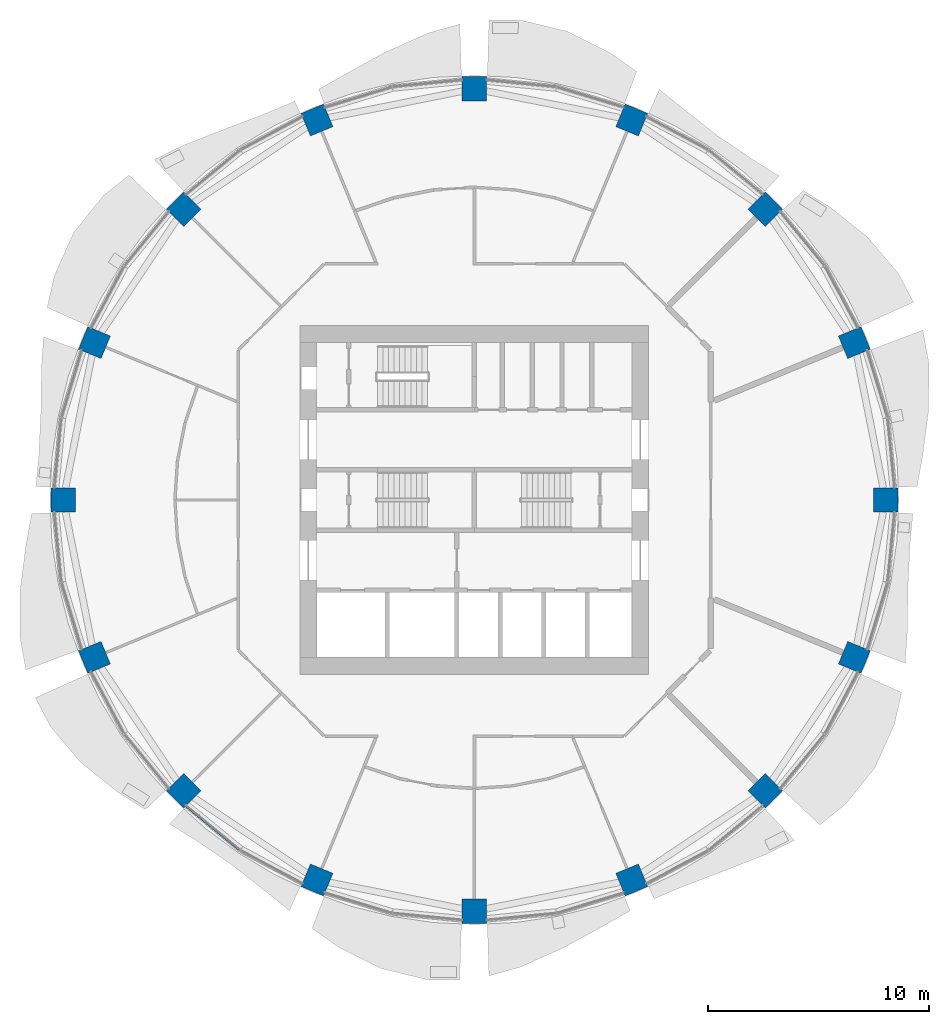
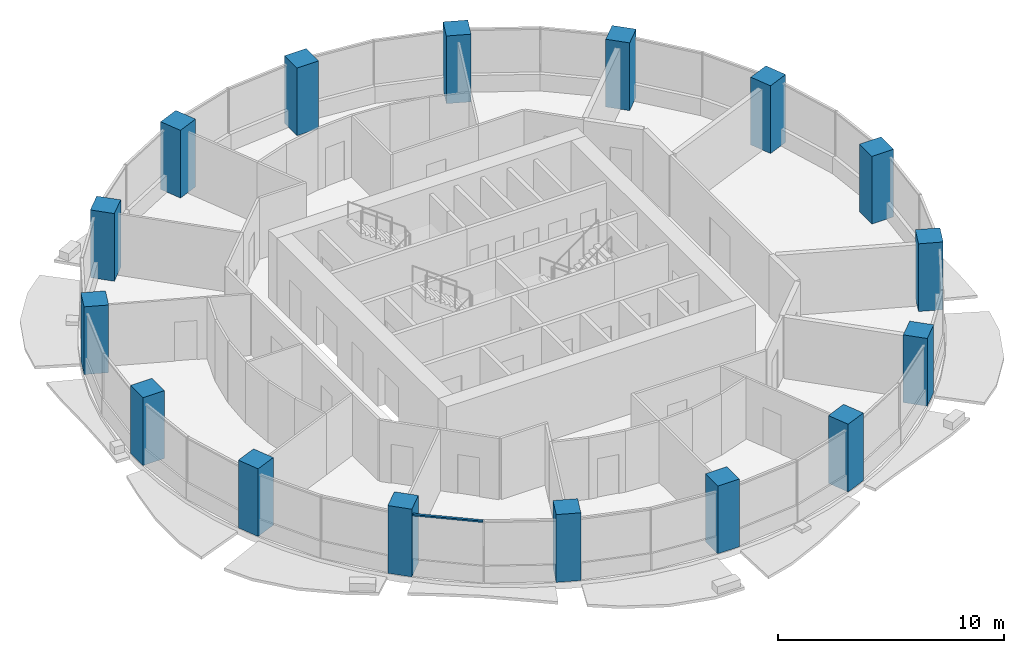
# One storey, part 1 of 14: 16 columns, 1 member, 1 element without a shape of its own.
"""IFC4 building model written with IfcOpenShell, lengths in metres."""

import ifcopenshell
import ifcopenshell.guid

model = None  # the IFC model being written
_history = None  # IfcOwnerHistory: only IFC2X3 demands one
_inside = {}  # id of a spatial element -> (the spatial element, [elements in it])
_under = {}  # id of a project, library or spatial element -> (it, [spatial elements below it])
_declared = {}  # id of a project -> (the project, [libraries it declares])
_typed = {}  # id of a type object -> (the type object, [elements of that type])
_made_of = {}  # id of a material, layer set ... -> (it, [elements and type objects made of it])


def new_model(schema):
    """Start an empty IFC model of exactly this schema.

    Asked for "IFC4X3", IfcOpenShell would pick the latest addendum, in which some entities
    have other attributes; the version numbers below select the first issue.
    IFC2X3 requires an IfcOwnerHistory on every rooted entity: one is made here for all.
    """
    global model, _history
    if schema == "IFC4X3":
        model = ifcopenshell.file(schema_version=(4, 3, 0, 0))
    else:
        model = ifcopenshell.file(schema=schema)
    _inside.clear()
    _under.clear()
    _declared.clear()
    _typed.clear()
    _made_of.clear()
    _history = None
    if model.schema == "IFC2X3":
        org = make("IfcOrganization", Name="unknown")
        user = make(
            "IfcPersonAndOrganization",
            ThePerson=make("IfcPerson", FamilyName="unknown"),
            TheOrganization=org,
        )
        app = make(
            "IfcApplication",
            ApplicationDeveloper=org,
            Version="unknown",
            ApplicationFullName="unknown",
            ApplicationIdentifier="unknown",
        )
        _history = make(
            "IfcOwnerHistory",
            OwningUser=user,
            OwningApplication=app,
            ChangeAction="ADDED",
            CreationDate=0,
        )
    return model


def make(cls, **values):
    """One entity of the class cls with the attributes given. An attribute that is None is left unset."""
    return model.create_entity(
        cls, **{name: value for name, value in values.items() if value is not None}
    )


def rooted(cls, **values):
    """An entity with a GlobalId (a new one), such as an element, a storey or a relation."""
    return make(cls, GlobalId=ifcopenshell.guid.new(), OwnerHistory=_history, **values)


def si_unit(unit_type, name, prefix=None):
    """IfcSIUnit, for example si_unit("LENGTHUNIT", "METRE", prefix="MILLI")."""
    return make("IfcSIUnit", UnitType=unit_type, Prefix=prefix, Name=name)


def assignment(units):
    """IfcUnitAssignment: the units of a project."""
    return None if units is None else make("IfcUnitAssignment", Units=units)


def point(xyz):
    """IfcCartesianPoint."""
    return None if xyz is None else make("IfcCartesianPoint", Coordinates=xyz)


def direction(xyz):
    """IfcDirection."""
    return None if xyz is None else make("IfcDirection", DirectionRatios=xyz)


def frame(location, z_axis=None, x_axis=None):
    """IfcAxis2Placement3D, a coordinate frame: its origin and axes. An axis left out is left unset."""
    return make(
        "IfcAxis2Placement3D",
        Location=point(location),
        Axis=direction(z_axis),
        RefDirection=direction(x_axis),
    )


def frame_2d(location, x_axis=None):
    """IfcAxis2Placement2D, a coordinate frame in the plane: its origin and x axis."""
    return make(
        "IfcAxis2Placement2D", Location=point(location), RefDirection=direction(x_axis)
    )


def origin():
    """The frame at (0, 0, 0) with its axes left unset."""
    return frame((0.0, 0.0, 0.0))


def origin_2d():
    """The frame at (0, 0) in the plane with its x axis left unset."""
    return frame_2d((0.0, 0.0))


def place(relative_to, where):
    """IfcLocalPlacement: puts the frame where relative to a parent placement (None: the world)."""
    return make(
        "IfcLocalPlacement", PlacementRelTo=relative_to, RelativePlacement=where
    )


def context(
    kind, dimensions, precision=None, world=None, true_north=None, identifier=None
):
    """IfcGeometricRepresentationContext, for example the 3D "Model" context."""
    return make(
        "IfcGeometricRepresentationContext",
        ContextIdentifier=identifier,
        ContextType=kind,
        CoordinateSpaceDimension=dimensions,
        Precision=precision,
        WorldCoordinateSystem=world,
        TrueNorth=true_north,
    )


def subcontext(parent, identifier, kind, view, scale=None):
    """IfcGeometricRepresentationSubContext, for example "Body" below "Model"."""
    return make(
        "IfcGeometricRepresentationSubContext",
        ContextIdentifier=identifier,
        ContextType=kind,
        ParentContext=parent,
        TargetScale=scale,
        TargetView=view,
    )


def project(units=None, contexts=None):
    """IfcProject with its units and contexts."""
    return rooted(
        "IfcProject",
        Name="project",
        RepresentationContexts=contexts,
        UnitsInContext=assignment(units),
    )


def spatial(cls, under=None, at=None, **own):
    """A site, building, storey or space (cls), placed at a placement, below another one or the project."""
    s = rooted(cls, ObjectPlacement=at, **own)
    if under is not None:
        _under.setdefault(under.id(), (under, []))[1].append(s)
    return s


def profile(cls, at=None, kind="AREA", **sizes):
    """A parametric profile (cls). Its sizes go by their IFC names, for example OverallWidth=200.0."""
    return make(cls, ProfileType=kind, Position=at, **sizes)


def rectangle(**sizes):
    """IfcRectangleProfileDef."""
    return profile("IfcRectangleProfileDef", **sizes)


def extrude(swept, where, along, depth):
    """IfcExtrudedAreaSolid: the profile swept, set in the frame where, extruded along a direction by depth."""
    return make(
        "IfcExtrudedAreaSolid",
        SweptArea=swept,
        Position=where,
        ExtrudedDirection=direction(along),
        Depth=depth,
    )


def shape(context_of_items, identifier, shape_type, items):
    """IfcShapeRepresentation: the items that make up one representation, for example the "Body"."""
    return make(
        "IfcShapeRepresentation",
        ContextOfItems=context_of_items,
        RepresentationIdentifier=identifier,
        RepresentationType=shape_type,
        Items=items,
    )


def material(Name=None, Category=None):
    """IfcMaterial."""
    return make("IfcMaterial", Name=Name, Category=Category)


def material_profile(
    of_material, cross_section, Name=None, Category=None, Priority=None
):
    """IfcMaterialProfile: a cross section and its material."""
    return make(
        "IfcMaterialProfile",
        Name=Name,
        Material=of_material,
        Profile=cross_section,
        Priority=Priority,
        Category=Category,
    )


def profile_set(profiles, Name=None, composite=None):
    """IfcMaterialProfileSet."""
    return make(
        "IfcMaterialProfileSet",
        Name=Name,
        MaterialProfiles=profiles,
        CompositeProfile=composite,
    )


def made_of(thing, what):
    """Note that an element or type object is made of a material, layer set ...; save() writes the relation."""
    if what is not None:
        _made_of.setdefault(what.id(), (what, []))[1].append(thing)
    return thing


def type_object(cls, material=None, **own):
    """A type object (cls), such as IfcWallType, which elements share."""
    return made_of(rooted(cls, **own), material)


def element(
    cls,
    number,
    at=None,
    inside=None,
    cuts=None,
    type_object=None,
    material=None,
    context=None,
    identifier="Body",
    shape_type=None,
    held_by="IfcProductDefinitionShape",
    body=None,
    shapes=None,
    **own,
):
    """One element of the class cls, such as IfcWall. Its Tag is "e" and its number.

    at: its placement. inside: the storey or other place that contains it. cuts: it is an
    opening in that element (IfcRelVoidsElement). A single representation is given by context,
    identifier, shape_type and body (its items); several are given by shapes. held_by: the class
    of the entity that holds the representations. save() writes the other relations.
    """
    e = rooted(cls, Tag="e%d" % number, ObjectPlacement=at, **own)
    if body is not None:
        shapes = [shape(context, identifier, shape_type, body)]
    if shapes is not None:
        e.Representation = make(held_by, Representations=shapes)
    if inside is not None:
        _inside.setdefault(inside.id(), (inside, []))[1].append(e)
    if cuts is not None:
        rooted(
            "IfcRelVoidsElement", RelatingBuildingElement=cuts, RelatedOpeningElement=e
        )
    if type_object is not None:
        _typed.setdefault(type_object.id(), (type_object, []))[1].append(e)
    return made_of(e, material)


def aggregate(whole, parts):
    """IfcRelAggregates: a whole, such as a stair, and the parts it consists of."""
    return rooted("IfcRelAggregates", RelatingObject=whole, RelatedObjects=parts)


def save(model, path):
    """Write the relations noted so far, then the file.

    IfcRelAggregates (storeys below a building ...), IfcRelContainedInSpatialStructure (elements
    in a storey), IfcRelDefinesByType, IfcRelAssociatesMaterial and IfcRelDeclares: one each for
    every whole, place, type object, material and project.
    """
    for whole, parts in _under.values():
        aggregate(whole, parts)
    for where, things in _inside.values():
        rooted(
            "IfcRelContainedInSpatialStructure",
            RelatedElements=things,
            RelatingStructure=where,
        )
    for kind, things in _typed.values():
        rooted("IfcRelDefinesByType", RelatedObjects=things, RelatingType=kind)
    for what, things in _made_of.values():
        rooted("IfcRelAssociatesMaterial", RelatedObjects=things, RelatingMaterial=what)
    for by, libraries in _declared.values():
        rooted("IfcRelDeclares", RelatingContext=by, RelatedDefinitions=libraries)
    model.write(path)


model = new_model("IFC4")

# Units and contexts
model_context = context("Model", 3, precision=1e-05, world=origin(), true_north=direction((0.0, 1.0)))
body_context = subcontext(model_context, "Body", "Model", "MODEL_VIEW")
ifc_project = project(units=[si_unit("LENGTHUNIT", "METRE"), si_unit("AREAUNIT", "SQUARE_METRE"), si_unit("VOLUMEUNIT", "CUBIC_METRE"), si_unit("PLANEANGLEUNIT", "RADIAN"), si_unit("MASSUNIT", "GRAM", prefix="KILO")], contexts=[model_context])

# Site, building, storey
site_placement = place(None, origin())
site = spatial("IfcSite", under=ifc_project, at=site_placement, CompositionType="ELEMENT")
building_placement = place(site_placement, origin())
building = spatial("IfcBuilding", under=site, at=building_placement, Name="Polderwave Tower", CompositionType="ELEMENT")
storey_placement = place(building_placement, frame((0.0, 0.0, 105.60009765625)))
storey = spatial("IfcBuildingStorey", under=building, at=storey_placement, Name="L27", CompositionType="ELEMENT", Elevation=105.60009765625)

# Columns
ifc_material_1 = material(Name="Concrete C70/85", Category="concrete")
ifc_material_profile_1 = material_profile(ifc_material_1, rectangle(XDim=1.10009765625, YDim=1.10009765625, at=origin_2d()), Name="RC 1100x1100")
ifc_profile_set_1 = profile_set([ifc_material_profile_1], Name="Concrete C70/85")
column_type = type_object("IfcColumnType", Name="RC COLUMN 1100x1100 C70/85", PredefinedType="COLUMN", material=ifc_profile_set_1)
for number, where, z_axis, x_axis, name in (
    (1, (18.580078125, 0.0, 0.0), (0.0, 0.0, 1.0), (1.0, 0.0, 0.0), "Ring column 01"),
    (2, (17.165771484375, 7.1103515625, 0.0), (0.0, 0.0, 1.0), (0.923879532511, 0.382683432365, 0.0), "Ring column 02"),
    (3, (13.137939453125, 13.137939453125, 0.0), (0.0, 0.0, 1.0), (0.707106781187, 0.707106781187, 0.0), "Ring column 03"),
    (4, (7.1103515625, 17.165771484375, 0.0), (0.0, 0.0, 1.0), (0.382683432365, 0.923879532511, 0.0), "Ring column 04"),
    (5, (0.0, 18.580078125, 0.0), (0.0, 0.0, 1.0), (0.0, 1.0, 0.0), "Ring column 05"),
    (6, (-7.1103515625, 17.165771484375, 0.0), (0.0, 0.0, 1.0), (-0.382683432365, 0.923879532511, 0.0), "Ring column 06"),
    (7, (-13.137939453125, 13.137939453125, 0.0), (0.0, 0.0, 1.0), (-0.707106781187, 0.707106781187, 0.0), "Ring column 07"),
    (8, (-17.165771484375, 7.1103515625, 0.0), (0.0, 0.0, 1.0), (-0.923879532511, 0.382683432365, 0.0), "Ring column 08"),
    (9, (-18.580078125, 0.0, 0.0), (0.0, 0.0, 1.0), (-1.0, 0.0, 0.0), "Ring column 09"),
    (10, (-17.165771484375, -7.1103515625, 0.0), (0.0, 0.0, 1.0), (-0.923879532511, -0.382683432365, 0.0), "Ring column 10"),
    (11, (-13.137939453125, -13.137939453125, 0.0), (0.0, 0.0, 1.0), (-0.707106781187, -0.707106781187, 0.0), "Ring column 11"),
    (12, (-7.1103515625, -17.165771484375, 0.0), (0.0, 0.0, 1.0), (-0.382683432365, -0.923879532511, 0.0), "Ring column 12"),
    (13, (0.0, -18.580078125, 0.0), (0.0, 0.0, 1.0), (0.0, -1.0, 0.0), "Ring column 13"),
    (14, (7.1103515625, -17.165771484375, 0.0), (0.0, 0.0, 1.0), (0.382683432365, -0.923879532511, 0.0), "Ring column 14"),
    (15, (13.137939453125, -13.137939453125, 0.0), (0.0, 0.0, 1.0), (0.707106781187, -0.707106781187, 0.0), "Ring column 15"),
    (16, (17.165771484375, -7.1103515625, 0.0), (0.0, 0.0, 1.0), (0.923879532511, -0.382683432365, 0.0), "Ring column 16"),
):
    element("IfcColumn", number, at=place(storey_placement, frame(where, z_axis=z_axis, x_axis=x_axis)), inside=storey, type_object=column_type, Name=name, PredefinedType="COLUMN", context=body_context, shape_type="SweptSolid", body=[
        extrude(rectangle(XDim=1.10009765625, YDim=1.10009765625, at=origin_2d()), origin(), (0.0, 0.0, 1.0), 3.64990234375),
    ])

# Curtain wall, member
ifc_material_2 = material(Name="Aluminium 6063-T6 and glass", Category="aluminium")
curtain_wall_type = type_object("IfcCurtainWallType", Name="Growing floor ribbon glazing wall", PredefinedType="NOTDEFINED", material=ifc_material_2)
curtain_wall_placement = place(storey_placement, origin())
curtain_wall = element("IfcCurtainWall", 17, at=curtain_wall_placement, inside=storey, type_object=curtain_wall_type, Name="CW2 L27 10", PredefinedType="NOTDEFINED")
ifc_material_3 = material(Name="Aluminium 6063-T6", Category="aluminium")
ifc_material_profile_2 = material_profile(ifc_material_3, rectangle(XDim=0.1201171875, YDim=0.080078125, at=origin_2d()), Name="AL 80x120")
ifc_profile_set_2 = profile_set([ifc_material_profile_2], Name="Aluminium 6063-T6")
member_type = type_object("IfcMemberType", Name="Growing floor ribbon glazing transom 80x120", PredefinedType="USERDEFINED", material=ifc_profile_set_2)
member_placement = place(storey_placement, frame((-13.029052734375, -13.806884765625, 3.260009765625), z_axis=(0.77293681351, -0.634483003965, 0.0), x_axis=(0.634483003965, 0.77293681351, 0.0)))
member = element("IfcMember", 18, at=member_placement, type_object=member_type, Name="CW2 transom 1", ObjectType="TRANSOM", PredefinedType="USERDEFINED", context=body_context, shape_type="SweptSolid", body=[
    extrude(rectangle(XDim=0.1201171875, YDim=0.080078125, at=origin_2d()), origin(), (0.0, 0.0, 1.0), 3.1474609375),
])
aggregate(curtain_wall, [member])

save(model, "model.ifc")
